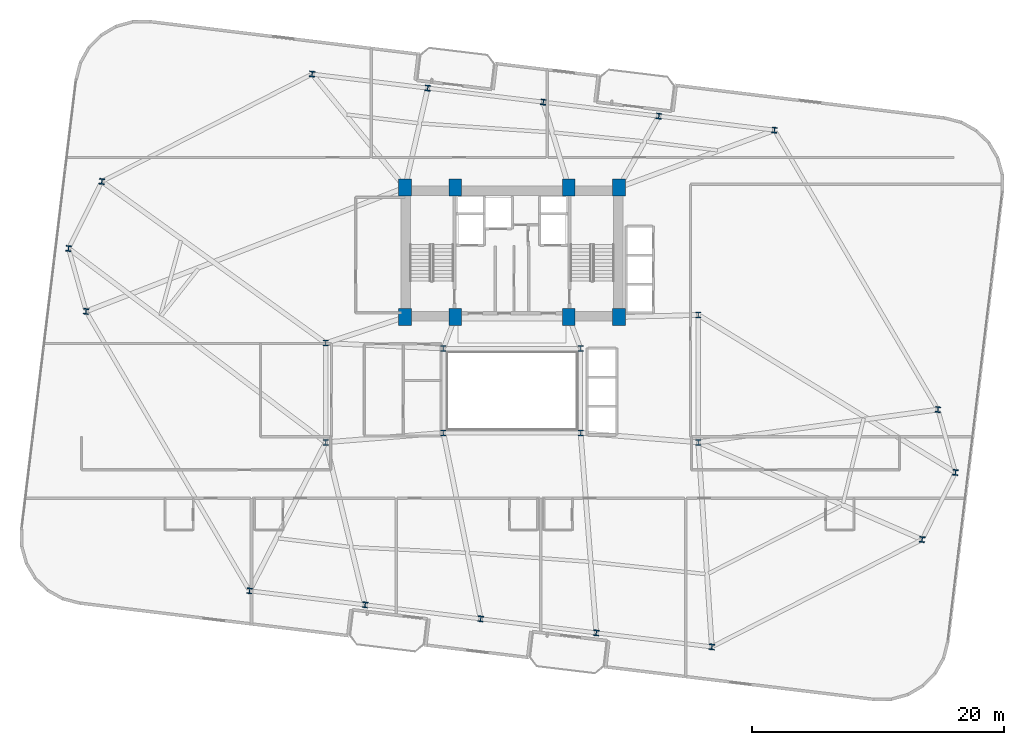
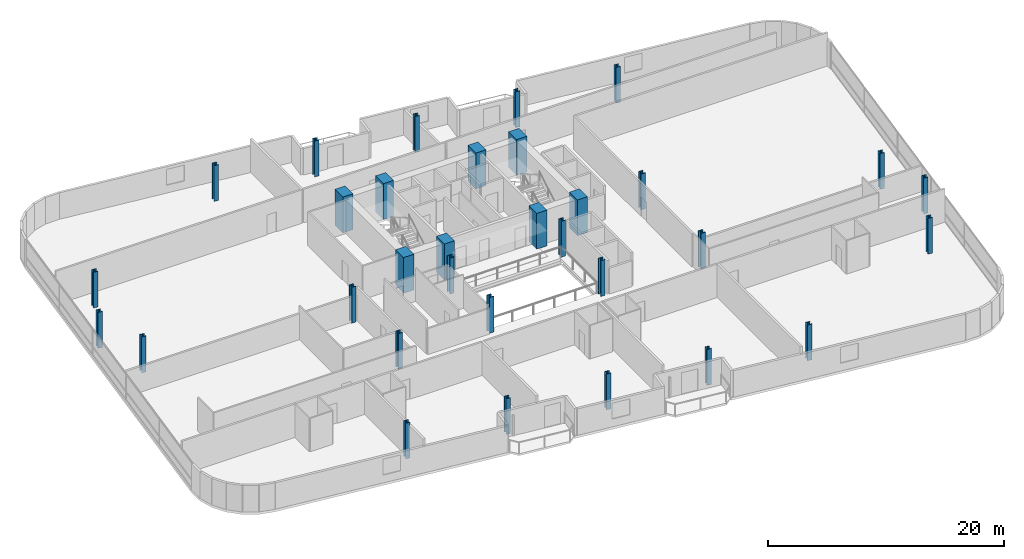
# One storey, part 1 of 25: 32 columns.
"""IFC4 building model written with IfcOpenShell, lengths in metres."""

from ifc_helpers import new_model, si_unit, direction, frame, origin, origin_2d, place, context, subcontext, project, spatial, rectangle, i_section, extrude, material, material_profile, profile_set, type_object, element, save


model = new_model("IFC4")

# Units and contexts
model_context = context("Model", 3, precision=1e-05, world=origin(), true_north=direction((0.0, 1.0)))
body_context = subcontext(model_context, "Body", "Model", "MODEL_VIEW")
ifc_project = project(units=[si_unit("LENGTHUNIT", "METRE"), si_unit("AREAUNIT", "SQUARE_METRE"), si_unit("VOLUMEUNIT", "CUBIC_METRE"), si_unit("PLANEANGLEUNIT", "RADIAN"), si_unit("MASSUNIT", "GRAM", prefix="KILO")], contexts=[model_context])

# Site, building, storey
site_placement = place(None, origin())
site = spatial("IfcSite", under=ifc_project, at=site_placement, CompositionType="ELEMENT")
building_placement = place(site_placement, origin())
building = spatial("IfcBuilding", under=site, at=building_placement, Name="Varnelok Gate Tower", CompositionType="ELEMENT")
storey_placement = place(building_placement, frame((0.0, 0.0, 132.800048828125)))
storey = spatial("IfcBuildingStorey", under=building, at=storey_placement, Name="L33", CompositionType="ELEMENT", Elevation=132.800048828125)

# Columns
ifc_material_1 = material(Name="Concrete C70/85", Category="concrete")
ifc_material_profile_1 = material_profile(ifc_material_1, rectangle(XDim=1.0, YDim=1.35009765625, at=origin_2d()), Name="RC1350X1000")
ifc_profile_set_1 = profile_set([ifc_material_profile_1], Name="Concrete C70/85")
column_type_1 = type_object("IfcColumnType", Name="COL-RC1350X1000", PredefinedType="COLUMN", material=ifc_profile_set_1)
for number, where, z_axis, x_axis, name in (
    (1, (30.699951171875, 28.75, 0.0), (0.0, 0.0, 1.0), (1.0, 0.0, 0.0), "L33 Core Spine Column SC1"),
    (2, (34.679931640625, 28.75, 0.0), (0.0, 0.0, 1.0), (1.0, 0.0, 0.0), "L33 Core Spine Column SC2"),
    (3, (43.719970703125, 28.75, 0.0), (0.0, 0.0, 1.0), (1.0, 0.0, 0.0), "L33 Core Spine Column SC3"),
    (4, (47.699951171875, 28.75, 0.0), (0.0, 0.0, 1.0), (1.0, 0.0, 0.0), "L33 Core Spine Column SC4"),
    (5, (30.699951171875, 39.050048828125, 0.0), (0.0, 0.0, 1.0), (1.0, 0.0, 0.0), "L33 Core Spine Column SC5"),
    (6, (34.679931640625, 39.050048828125, 0.0), (0.0, 0.0, 1.0), (1.0, 0.0, 0.0), "L33 Core Spine Column SC6"),
    (7, (43.719970703125, 39.050048828125, 0.0), (0.0, 0.0, 1.0), (1.0, 0.0, 0.0), "L33 Core Spine Column SC7"),
    (8, (47.699951171875, 39.050048828125, 0.0), (0.0, 0.0, 1.0), (1.0, 0.0, 0.0), "L33 Core Spine Column SC8"),
):
    element("IfcColumn", number, at=place(storey_placement, frame(where, z_axis=z_axis, x_axis=x_axis)), inside=storey, type_object=column_type_1, Name=name, PredefinedType="COLUMN", context=body_context, shape_type="SweptSolid", body=[
        extrude(rectangle(XDim=1.0, YDim=1.35009765625, at=origin_2d()), origin(), (0.0, 0.0, 1.0), 3.699951171875),
    ])
ifc_material_2 = material(Name="Structural Steel ASTM A992 Grade 50", Category="steel")
ifc_material_profile_2 = material_profile(ifc_material_2, i_section(OverallWidth=0.41796875, OverallDepth=0.455078125, WebThickness=0.0419921875, FlangeThickness=0.067626953125, FilletRadius=0.02490234375, at=origin_2d()), Name="W14X370")
ifc_profile_set_2 = profile_set([ifc_material_profile_2], Name="Structural Steel ASTM A992 Grade 50")
column_type_2 = type_object("IfcColumnType", Name="COL-W14X370", PredefinedType="COLUMN", material=ifc_profile_set_2)
for number, where, z_axis, x_axis, name in (
    (9, (18.345703125, 6.99658203125, 0.0), (0.0, 0.0, 1.0), (0.992732158755, -0.12034475881, 0.0), "L33 B3 Perimeter Column PC01"),
    (10, (27.528564453125, 5.883544921875, 0.0), (0.0, 0.0, 1.0), (0.992732158755, -0.12034475881, 0.0), "L33 B3 Perimeter Column PC02"),
    (11, (36.711181640625, 4.770263671875, 0.0), (0.0, 0.0, 1.0), (0.992732158755, -0.12034475881, 0.0), "L33 B3 Perimeter Column PC03"),
    (12, (45.89404296875, 3.656982421875, 0.0), (0.0, 0.0, 1.0), (0.992732158755, -0.12034475881, 0.0), "L33 B3 Perimeter Column PC04"),
    (13, (55.076904296875, 2.5439453125, 0.0), (0.0, 0.0, 1.0), (0.992732158755, -0.12034475881, 0.0), "L33 B3 Perimeter Column PC05"),
    (14, (71.79296875, 11.07421875, 0.0), (0.0, 0.0, 1.0), (0.992732158755, -0.12034475881, 0.0), "L33 B3 Perimeter Column PC06"),
    (15, (74.435546875, 16.40478515625, 0.0), (0.0, 0.0, 1.0), (0.992732158755, -0.12034475881, 0.0), "L33 B3 Perimeter Column PC07"),
    (16, (73.04443359375, 21.398681640625, 0.0), (0.0, 0.0, 1.0), (0.992732158755, -0.12034475881, 0.0), "L33 B3 Perimeter Column PC08"),
    (17, (60.05419921875, 43.603271484375, 0.0), (0.0, 0.0, 1.0), (0.992732158755, -0.12034475881, 0.0), "L33 B3 Perimeter Column PC09"),
    (18, (50.87158203125, 44.716552734375, 0.0), (0.0, 0.0, 1.0), (0.992732158755, -0.12034475881, 0.0), "L33 B3 Perimeter Column PC10"),
    (19, (41.688720703125, 45.82958984375, 0.0), (0.0, 0.0, 1.0), (0.992732158755, -0.12034475881, 0.0), "L33 B3 Perimeter Column PC11"),
    (20, (32.506103515625, 46.94287109375, 0.0), (0.0, 0.0, 1.0), (0.992732158755, -0.12034475881, 0.0), "L33 B3 Perimeter Column PC12"),
    (21, (23.3232421875, 48.05615234375, 0.0), (0.0, 0.0, 1.0), (0.992732158755, -0.12034475881, 0.0), "L33 B3 Perimeter Column PC13"),
    (22, (6.607177734375, 39.52587890625, 0.0), (0.0, 0.0, 1.0), (0.992732158755, -0.12034475881, 0.0), "L33 B3 Perimeter Column PC14"),
    (23, (3.96435546875, 34.195068359375, 0.0), (0.0, 0.0, 1.0), (0.992732158755, -0.12034475881, 0.0), "L33 B3 Perimeter Column PC15"),
    (24, (5.35546875, 29.201416015625, 0.0), (0.0, 0.0, 1.0), (0.992732158755, -0.12034475881, 0.0), "L33 B3 Perimeter Column PC16"),
):
    element("IfcColumn", number, at=place(storey_placement, frame(where, z_axis=z_axis, x_axis=x_axis)), inside=storey, type_object=column_type_2, Name=name, PredefinedType="COLUMN", context=body_context, shape_type="SweptSolid", body=[
        extrude(i_section(OverallWidth=0.41796875, OverallDepth=0.455078125, WebThickness=0.0419921875, FlangeThickness=0.067626953125, FilletRadius=0.02490234375, at=origin_2d()), origin(), (0.0, 0.0, 1.0), 3.699951171875),
    ])
ifc_material_profile_3 = material_profile(ifc_material_2, i_section(OverallWidth=0.424072265625, OverallDepth=0.47412109375, WebThickness=0.047607421875, FlangeThickness=0.0771484375, FilletRadius=0.02490234375, at=origin_2d()), Name="W14X426")
ifc_profile_set_3 = profile_set([ifc_material_profile_3], Name="Structural Steel ASTM A992 Grade 50")
column_type_3 = type_object("IfcColumnType", Name="COL-W14X426", PredefinedType="COLUMN", material=ifc_profile_set_3)
for number, where, z_axis, x_axis, name in (
    (25, (33.75, 19.550048828125, 0.0), (0.0, 0.0, 1.0), (1.0, 0.0, 0.0), "L33 Atrium Spine Column AC1"),
    (26, (44.64990234375, 19.550048828125, 0.0), (0.0, 0.0, 1.0), (1.0, 0.0, 0.0), "L33 Atrium Spine Column AC2"),
    (27, (33.75, 26.25, 0.0), (0.0, 0.0, 1.0), (1.0, 0.0, 0.0), "L33 Atrium Spine Column AC3"),
    (28, (44.64990234375, 26.25, 0.0), (0.0, 0.0, 1.0), (1.0, 0.0, 0.0), "L33 Atrium Spine Column AC4"),
    (29, (24.39990234375, 18.800048828125, 0.0), (0.0, 0.0, 1.0), (1.0, 0.0, 0.0), "L33 Wing Spine Column WS1"),
    (30, (24.39990234375, 26.679931640625, 0.0), (0.0, 0.0, 1.0), (1.0, 0.0, 0.0), "L33 Wing Spine Column WS2"),
    (31, (54.0, 18.800048828125, 0.0), (0.0, 0.0, 1.0), (1.0, 0.0, 0.0), "L33 Wing Spine Column ES1"),
    (32, (54.0, 28.919921875, 0.0), (0.0, 0.0, 1.0), (1.0, 0.0, 0.0), "L33 Wing Spine Column ES2"),
):
    element("IfcColumn", number, at=place(storey_placement, frame(where, z_axis=z_axis, x_axis=x_axis)), inside=storey, type_object=column_type_3, Name=name, PredefinedType="COLUMN", context=body_context, shape_type="SweptSolid", body=[
        extrude(i_section(OverallWidth=0.424072265625, OverallDepth=0.47412109375, WebThickness=0.047607421875, FlangeThickness=0.0771484375, FilletRadius=0.02490234375, at=origin_2d()), origin(), (0.0, 0.0, 1.0), 3.699951171875),
    ])

save(model, "model.ifc")
